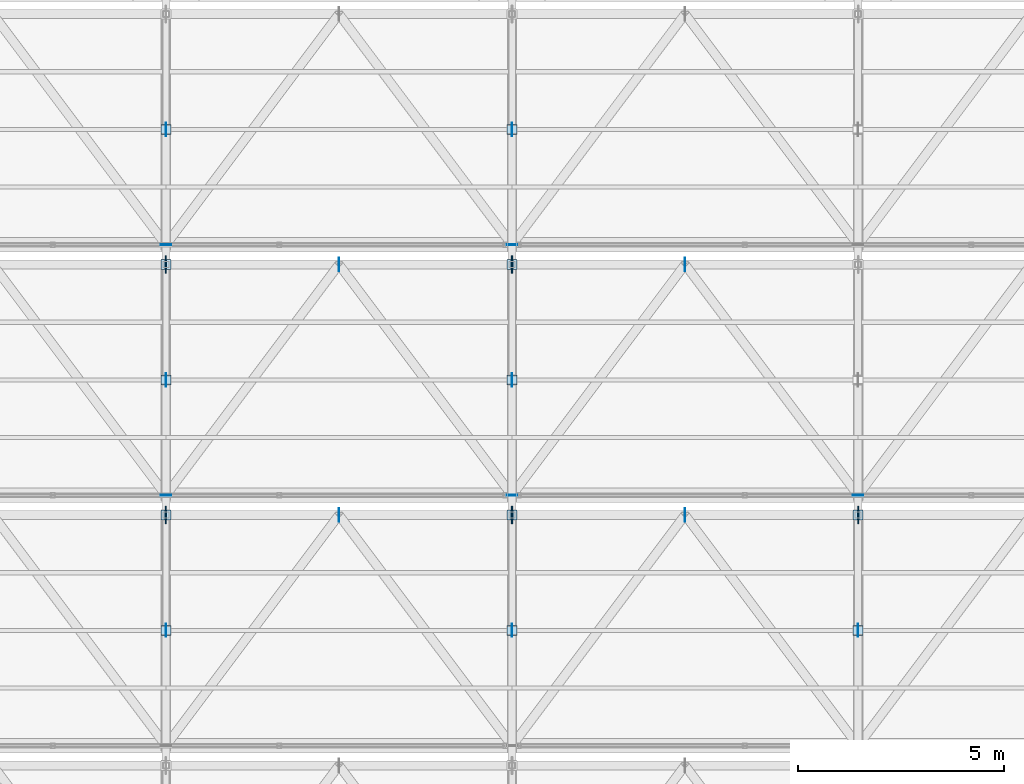
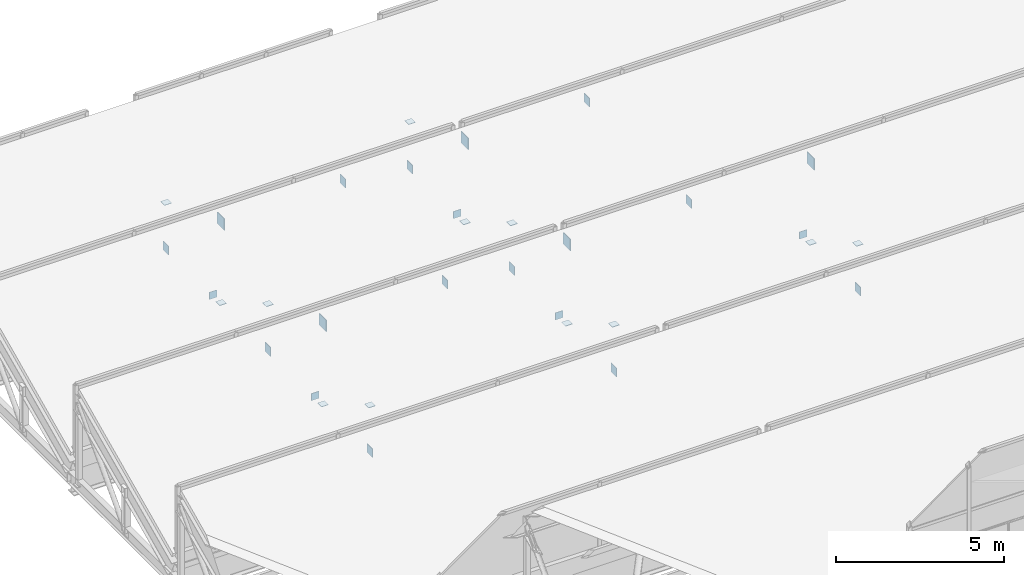
# One storey, part 184 of 217: 33 plates.
"""IFC4 building model written with IfcOpenShell, lengths in metres."""

from ifc_helpers import new_model, si_unit, direction, frame, origin, origin_2d, place, context, subcontext, project, spatial, rectangle, extrude, material, layer, layer_set, type_object, element, save


model = new_model("IFC4")

# Units and contexts
model_context = context("Model", 3, precision=1e-05, world=origin(), true_north=direction((0.0, 1.0)))
body_context = subcontext(model_context, "Body", "Model", "MODEL_VIEW")
ifc_project = project(units=[si_unit("LENGTHUNIT", "METRE"), si_unit("AREAUNIT", "SQUARE_METRE"), si_unit("VOLUMEUNIT", "CUBIC_METRE"), si_unit("PLANEANGLEUNIT", "RADIAN"), si_unit("MASSUNIT", "GRAM", prefix="KILO")], contexts=[model_context])

# Site, building, storey
site_placement = place(None, origin())
site = spatial("IfcSite", under=ifc_project, at=site_placement, CompositionType="ELEMENT")
building_placement = place(site_placement, origin())
building = spatial("IfcBuilding", under=site, at=building_placement, Name="Zuvorla Pavilion Media Centre", CompositionType="ELEMENT")
storey_placement = place(building_placement, frame((0.0, 0.0, 9.60009765625)))
storey = spatial("IfcBuildingStorey", under=building, at=storey_placement, Name="L02", CompositionType="ELEMENT", Elevation=9.60009765625)

# Plates
ifc_material = material(Name="Steel S355", Category="steel")
ifc_layer_1 = layer(ifc_material, 0.01611328125)
ifc_layer_set_1 = layer_set([ifc_layer_1], Name="Steel S355")
plate_type_1 = type_object("IfcPlateType", Name="PLT-CAP-16", PredefinedType="USERDEFINED", material=ifc_layer_set_1)
for number, where, z_axis, x_axis, name in (
    (1, (75.199951171875, 107.840087890625, -1.01025390625), (0.0, 0.0, 1.0), (1.0, 0.0, 0.0), "L02 cap plate CP16 58"),
    (2, (83.60009765625, 107.840087890625, -1.01025390625), (0.0, 0.0, 1.0), (1.0, 0.0, 0.0), "L02 cap plate CP16 60"),
    (3, (92.0, 107.840087890625, -1.01025390625), (0.0, 0.0, 1.0), (1.0, 0.0, 0.0), "L02 cap plate CP16 62"),
    (4, (75.199951171875, 113.919921875, -1.01025390625), (0.0, 0.0, 1.0), (1.0, 0.0, 0.0), "L02 cap plate CP16 76"),
    (5, (83.60009765625, 113.919921875, -1.01025390625), (0.0, 0.0, 1.0), (1.0, 0.0, 0.0), "L02 cap plate CP16 78"),
):
    element("IfcPlate", number, at=place(storey_placement, frame(where, z_axis=z_axis, x_axis=x_axis)), inside=storey, type_object=plate_type_1, Name=name, ObjectType="CAP_PLATE", PredefinedType="USERDEFINED", context=body_context, shape_type="SweptSolid", body=[
        extrude(rectangle(XDim=0.260009765625, YDim=0.01611328125, at=origin_2d()), origin(), (0.0, 0.0, 1.0), 0.260009765625),
    ])
for number, where, z_axis, x_axis, name in (
    (6, (75.199951171875, 107.360107421875, -0.88818359375), (0.0, 0.0, 1.0), (1.0, 0.0, 0.0), "L02 cap plate CP16 290"),
    (7, (75.199951171875, 104.56005859375, 0.771728515625), (0.0, 0.0, 1.0), (1.0, 0.0, 0.0), "L02 cap plate CP16 292"),
    (8, (83.60009765625, 107.360107421875, -0.88818359375), (0.0, 0.0, 1.0), (1.0, 0.0, 0.0), "L02 cap plate CP16 293"),
    (9, (83.60009765625, 104.56005859375, 0.771728515625), (0.0, 0.0, 1.0), (1.0, 0.0, 0.0), "L02 cap plate CP16 295"),
    (10, (92.0, 107.360107421875, -0.88818359375), (0.0, 0.0, 1.0), (1.0, 0.0, 0.0), "L02 cap plate CP16 296"),
    (11, (92.0, 104.56005859375, 0.771728515625), (0.0, 0.0, 1.0), (1.0, 0.0, 0.0), "L02 cap plate CP16 298"),
    (12, (75.199951171875, 113.43994140625, -0.88818359375), (0.0, 0.0, 1.0), (1.0, 0.0, 0.0), "L02 cap plate CP16 325"),
    (13, (75.199951171875, 110.639892578125, 0.771728515625), (0.0, 0.0, 1.0), (1.0, 0.0, 0.0), "L02 cap plate CP16 327"),
    (14, (83.60009765625, 113.43994140625, -0.88818359375), (0.0, 0.0, 1.0), (1.0, 0.0, 0.0), "L02 cap plate CP16 328"),
    (15, (83.60009765625, 110.639892578125, 0.771728515625), (0.0, 0.0, 1.0), (1.0, 0.0, 0.0), "L02 cap plate CP16 330"),
    (16, (75.199951171875, 116.719970703125, 0.771728515625), (0.0, 0.0, 1.0), (1.0, 0.0, 0.0), "L02 cap plate CP16 362"),
    (17, (83.60009765625, 116.719970703125, 0.771728515625), (0.0, 0.0, 1.0), (1.0, 0.0, 0.0), "L02 cap plate CP16 365"),
):
    element("IfcPlate", number, at=place(storey_placement, frame(where, z_axis=z_axis, x_axis=x_axis)), inside=storey, type_object=plate_type_1, Name=name, ObjectType="CAP_PLATE", PredefinedType="USERDEFINED", context=body_context, shape_type="SweptSolid", body=[
        extrude(rectangle(XDim=0.239990234375, YDim=0.239990234375, at=origin_2d()), origin(), (0.0, 0.0, 1.0), 0.01611328125),
    ])
ifc_layer_2 = layer(ifc_material, 0.02001953125)
ifc_layer_set_2 = layer_set([ifc_layer_2], Name="Steel S355")
plate_type_2 = type_object("IfcPlateType", Name="PLT-GUS-20", PredefinedType="USERDEFINED", material=ifc_layer_set_2)
for number, where, z_axis, x_axis, name in (
    (18, (75.199951171875, 104.56005859375, -1.0400390625), (0.0, 0.0, 1.0), (1.0, 0.0, 0.0), "L02 gusset plate GP20 291"),
    (19, (83.60009765625, 104.56005859375, -1.0400390625), (0.0, 0.0, 1.0), (1.0, 0.0, 0.0), "L02 gusset plate GP20 294"),
    (20, (92.0, 104.56005859375, -1.0400390625), (0.0, 0.0, 1.0), (1.0, 0.0, 0.0), "L02 gusset plate GP20 297"),
    (21, (79.39990234375, 107.360107421875, 1.919921875), (0.0, 0.0, 1.0), (1.0, 0.0, 0.0), "L02 gusset plate GP20 315"),
    (22, (87.800048828125, 107.360107421875, 1.919921875), (0.0, 0.0, 1.0), (1.0, 0.0, 0.0), "L02 gusset plate GP20 316"),
    (23, (75.199951171875, 110.639892578125, -1.0400390625), (0.0, 0.0, 1.0), (1.0, 0.0, 0.0), "L02 gusset plate GP20 326"),
    (24, (83.60009765625, 110.639892578125, -1.0400390625), (0.0, 0.0, 1.0), (1.0, 0.0, 0.0), "L02 gusset plate GP20 329"),
    (25, (79.39990234375, 113.43994140625, 1.919921875), (0.0, 0.0, 1.0), (1.0, 0.0, 0.0), "L02 gusset plate GP20 350"),
    (26, (87.800048828125, 113.43994140625, 1.919921875), (0.0, 0.0, 1.0), (1.0, 0.0, 0.0), "L02 gusset plate GP20 351"),
    (27, (75.199951171875, 116.719970703125, -1.0400390625), (0.0, 0.0, 1.0), (1.0, 0.0, 0.0), "L02 gusset plate GP20 361"),
    (28, (83.60009765625, 116.719970703125, -1.0400390625), (0.0, 0.0, 1.0), (1.0, 0.0, 0.0), "L02 gusset plate GP20 364"),
):
    element("IfcPlate", number, at=place(storey_placement, frame(where, z_axis=z_axis, x_axis=x_axis)), inside=storey, type_object=plate_type_2, Name=name, ObjectType="GUSSET_PLATE", PredefinedType="USERDEFINED", context=body_context, shape_type="SweptSolid", body=[
        extrude(rectangle(XDim=0.02001953125, YDim=0.320068359375, at=origin_2d()), origin(), (0.0, 0.0, 1.0), 0.320068359375),
    ])
ifc_layer_3 = layer(ifc_material, 0.02490234375)
ifc_layer_set_3 = layer_set([ifc_layer_3], Name="Steel S355")
plate_type_3 = type_object("IfcPlateType", Name="PLT-GUS-25", PredefinedType="USERDEFINED", material=ifc_layer_set_3)
for number, where, z_axis, x_axis, name in (
    (29, (75.199951171875, 107.360107421875, 1.87353515625), (0.0, 0.0, 1.0), (1.0, 0.0, 0.0), "L02 gusset plate GP25 39"),
    (30, (83.60009765625, 107.360107421875, 1.87353515625), (0.0, 0.0, 1.0), (1.0, 0.0, 0.0), "L02 gusset plate GP25 41"),
    (31, (92.0, 107.360107421875, 1.87353515625), (0.0, 0.0, 1.0), (1.0, 0.0, 0.0), "L02 gusset plate GP25 43"),
    (32, (75.199951171875, 113.43994140625, 1.87353515625), (0.0, 0.0, 1.0), (1.0, 0.0, 0.0), "L02 gusset plate GP25 57"),
    (33, (83.60009765625, 113.43994140625, 1.87353515625), (0.0, 0.0, 1.0), (1.0, 0.0, 0.0), "L02 gusset plate GP25 59"),
):
    element("IfcPlate", number, at=place(storey_placement, frame(where, z_axis=z_axis, x_axis=x_axis)), inside=storey, type_object=plate_type_3, Name=name, ObjectType="GUSSET_PLATE", PredefinedType="USERDEFINED", context=body_context, shape_type="SweptSolid", body=[
        extrude(rectangle(XDim=0.02490234375, YDim=0.419921875, at=origin_2d()), origin(), (0.0, 0.0, 1.0), 0.419921875),
    ])

save(model, "model.ifc")
